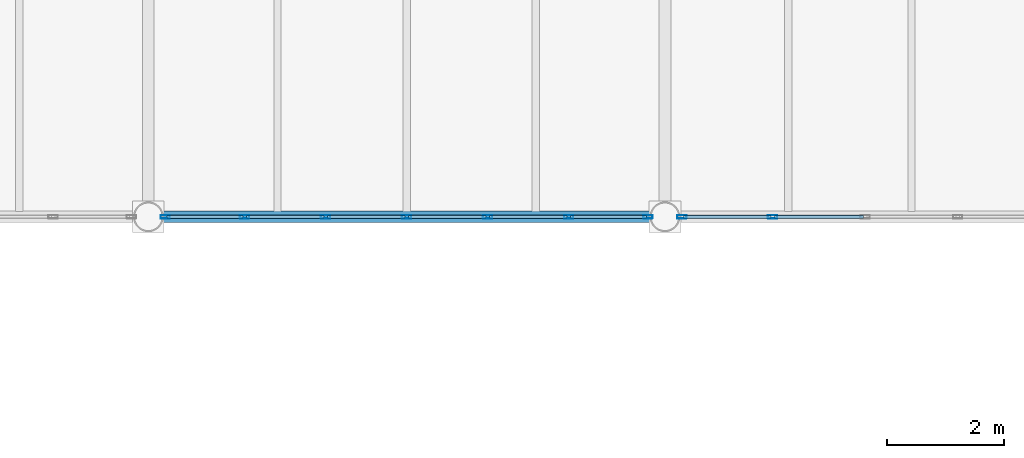
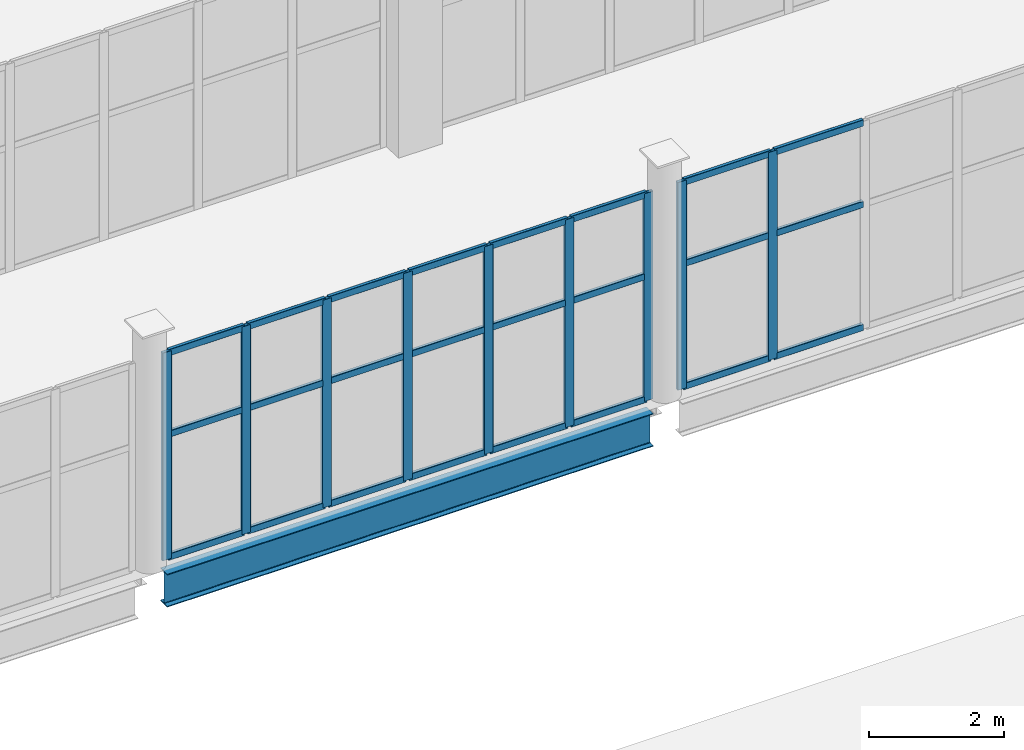
# One storey, part 58 of 136: 33 members, 1 beam, 2 elements without a shape of their own.
"""IFC4 building model written with IfcOpenShell, lengths in metres."""

from ifc_helpers import new_model, si_unit, direction, frame, origin, origin_2d, place, context, subcontext, project, spatial, hollow_rectangle, i_section, extrude, material, material_profile, profile_set, type_object, element, aggregate, save


model = new_model("IFC4")

# Units and contexts
model_context = context("Model", 3, precision=1e-05, world=origin(), true_north=direction((0.0, 1.0)))
body_context = subcontext(model_context, "Body", "Model", "MODEL_VIEW")
ifc_project = project(units=[si_unit("LENGTHUNIT", "METRE"), si_unit("AREAUNIT", "SQUARE_METRE"), si_unit("VOLUMEUNIT", "CUBIC_METRE"), si_unit("PLANEANGLEUNIT", "RADIAN"), si_unit("MASSUNIT", "GRAM", prefix="KILO")], contexts=[model_context])

# Site, building, storey
site_placement = place(None, origin())
site = spatial("IfcSite", under=ifc_project, at=site_placement, CompositionType="ELEMENT")
building_placement = place(site_placement, origin())
building = spatial("IfcBuilding", under=site, at=building_placement, Name="Shengluoqiao Park Theatre", CompositionType="ELEMENT")
storey_placement = place(building_placement, frame((0.0, 0.0, 10.0)))
storey = spatial("IfcBuildingStorey", under=building, at=storey_placement, Name="L02", CompositionType="ELEMENT", Elevation=10.0)

# Curtain wall, members
ifc_material_1 = material(Name="Aluminium 6063-T6", Category="aluminium")
curtain_wall_type = type_object("IfcCurtainWallType", Name="ENV-CW-BRIDGE", PredefinedType="NOTDEFINED", material=ifc_material_1)
curtain_wall_1_placement = place(storey_placement, origin())
curtain_wall_1 = element("IfcCurtainWall", 1, at=curtain_wall_1_placement, inside=storey, type_object=curtain_wall_type, Name="L02 Curtain Wall CWX-L02-0108", PredefinedType="NOTDEFINED")
ifc_material_profile_1 = material_profile(ifc_material_1, hollow_rectangle(XDim=0.06005859375, YDim=0.159912109375, WallThickness=0.00390625, InnerFilletRadius=0.00390625, OuterFilletRadius=0.008056640625, at=origin_2d()), Name="ALU MULLION 160x60x4")
ifc_profile_set_1 = profile_set([ifc_material_profile_1], Name="Aluminium 6063-T6")
member_type_1 = type_object("IfcMemberType", Name="ENV-MUL-160", PredefinedType="MULLION", material=ifc_profile_set_1)
member_1_placement = place(storey_placement, frame((95.488037109375, 68.39990234375, 0.0), z_axis=(0.0, 0.0, 1.0), x_axis=(0.0, 1.0, 0.0)))
member_1 = element("IfcMember", 2, at=member_1_placement, type_object=member_type_1, Name="CW-03 mullion 1", PredefinedType="MULLION", context=body_context, shape_type="SweptSolid", body=[
    extrude(hollow_rectangle(XDim=0.06005859375, YDim=0.159912109375, WallThickness=0.00390625, InnerFilletRadius=0.00390625, OuterFilletRadius=0.008056640625, at=origin_2d()), origin(), (0.0, 0.0, 1.0), 3.751953125),
])
member_2_placement = place(storey_placement, frame((96.838623046875, 68.39990234375, 0.0), z_axis=(0.0, 0.0, 1.0), x_axis=(0.0, 1.0, 0.0)))
member_2 = element("IfcMember", 3, at=member_2_placement, type_object=member_type_1, Name="CW-03 mullion 2", PredefinedType="MULLION", context=body_context, shape_type="SweptSolid", body=[
    extrude(hollow_rectangle(XDim=0.06005859375, YDim=0.159912109375, WallThickness=0.00390625, InnerFilletRadius=0.00390625, OuterFilletRadius=0.008056640625, at=origin_2d()), origin(), (0.0, 0.0, 1.0), 3.751953125),
])
member_3_placement = place(storey_placement, frame((98.21923828125, 68.39990234375, 0.0), z_axis=(0.0, 0.0, 1.0), x_axis=(0.0, 1.0, 0.0)))
member_3 = element("IfcMember", 4, at=member_3_placement, type_object=member_type_1, Name="CW-03 mullion 3", PredefinedType="MULLION", context=body_context, shape_type="SweptSolid", body=[
    extrude(hollow_rectangle(XDim=0.06005859375, YDim=0.159912109375, WallThickness=0.00390625, InnerFilletRadius=0.00390625, OuterFilletRadius=0.008056640625, at=origin_2d()), origin(), (0.0, 0.0, 1.0), 3.751953125),
])
member_4_placement = place(storey_placement, frame((99.60009765625, 68.39990234375, 0.0), z_axis=(0.0, 0.0, 1.0), x_axis=(0.0, 1.0, 0.0)))
member_4 = element("IfcMember", 5, at=member_4_placement, type_object=member_type_1, Name="CW-03 mullion 4", PredefinedType="MULLION", context=body_context, shape_type="SweptSolid", body=[
    extrude(hollow_rectangle(XDim=0.06005859375, YDim=0.159912109375, WallThickness=0.00390625, InnerFilletRadius=0.00390625, OuterFilletRadius=0.008056640625, at=origin_2d()), origin(), (0.0, 0.0, 1.0), 3.751953125),
])
member_5_placement = place(storey_placement, frame((100.980712890625, 68.39990234375, 0.0), z_axis=(0.0, 0.0, 1.0), x_axis=(0.0, 1.0, 0.0)))
member_5 = element("IfcMember", 6, at=member_5_placement, type_object=member_type_1, Name="CW-03 mullion 5", PredefinedType="MULLION", context=body_context, shape_type="SweptSolid", body=[
    extrude(hollow_rectangle(XDim=0.06005859375, YDim=0.159912109375, WallThickness=0.00390625, InnerFilletRadius=0.00390625, OuterFilletRadius=0.008056640625, at=origin_2d()), origin(), (0.0, 0.0, 1.0), 3.751953125),
])
member_6_placement = place(storey_placement, frame((102.361328125, 68.39990234375, 0.0), z_axis=(0.0, 0.0, 1.0), x_axis=(0.0, 1.0, 0.0)))
member_6 = element("IfcMember", 7, at=member_6_placement, type_object=member_type_1, Name="CW-03 mullion 6", PredefinedType="MULLION", context=body_context, shape_type="SweptSolid", body=[
    extrude(hollow_rectangle(XDim=0.06005859375, YDim=0.159912109375, WallThickness=0.00390625, InnerFilletRadius=0.00390625, OuterFilletRadius=0.008056640625, at=origin_2d()), origin(), (0.0, 0.0, 1.0), 3.751953125),
])
member_7_placement = place(storey_placement, frame((103.7119140625, 68.39990234375, 0.0), z_axis=(0.0, 0.0, 1.0), x_axis=(0.0, 1.0, 0.0)))
member_7 = element("IfcMember", 8, at=member_7_placement, type_object=member_type_1, Name="CW-03 mullion 7", PredefinedType="MULLION", context=body_context, shape_type="SweptSolid", body=[
    extrude(hollow_rectangle(XDim=0.06005859375, YDim=0.159912109375, WallThickness=0.00390625, InnerFilletRadius=0.00390625, OuterFilletRadius=0.008056640625, at=origin_2d()), origin(), (0.0, 0.0, 1.0), 3.751953125),
])

curtain_wall_2_placement = place(storey_placement, origin())
curtain_wall_2 = element("IfcCurtainWall", 9, at=curtain_wall_2_placement, inside=storey, type_object=curtain_wall_type, Name="L02 Curtain Wall CWX-L02-0109", PredefinedType="NOTDEFINED")
member_8_placement = place(storey_placement, frame((104.2880859375, 68.39990234375, 0.0), z_axis=(0.0, 0.0, 1.0), x_axis=(0.0, 1.0, 0.0)))
member_8 = element("IfcMember", 10, at=member_8_placement, type_object=member_type_1, Name="CW-03 mullion 1", PredefinedType="MULLION", context=body_context, shape_type="SweptSolid", body=[
    extrude(hollow_rectangle(XDim=0.06005859375, YDim=0.159912109375, WallThickness=0.00390625, InnerFilletRadius=0.00390625, OuterFilletRadius=0.008056640625, at=origin_2d()), origin(), (0.0, 0.0, 1.0), 3.751953125),
])
member_9_placement = place(storey_placement, frame((105.834716796875, 68.39990234375, 0.0), z_axis=(0.0, 0.0, 1.0), x_axis=(0.0, 1.0, 0.0)))
member_9 = element("IfcMember", 11, at=member_9_placement, type_object=member_type_1, Name="CW-03 mullion 2", PredefinedType="MULLION", context=body_context, shape_type="SweptSolid", body=[
    extrude(hollow_rectangle(XDim=0.06005859375, YDim=0.159912109375, WallThickness=0.00390625, InnerFilletRadius=0.00390625, OuterFilletRadius=0.008056640625, at=origin_2d()), origin(), (0.0, 0.0, 1.0), 3.751953125),
])

# Member
ifc_material_profile_2 = material_profile(ifc_material_1, hollow_rectangle(XDim=0.06005859375, YDim=0.1201171875, WallThickness=0.00390625, InnerFilletRadius=0.00390625, OuterFilletRadius=0.008056640625, at=origin_2d()), Name="ALU TRANSOM 120x60x4")
ifc_profile_set_2 = profile_set([ifc_material_profile_2], Name="Aluminium 6063-T6")
member_type_2 = type_object("IfcMemberType", Name="ENV-TRN-120", PredefinedType="USERDEFINED", material=ifc_profile_set_2)
member_10_placement = place(storey_placement, frame((95.51806640625, 68.39990234375, 0.030029296875), z_axis=(1.0, 0.0, 0.0), x_axis=(0.0, 1.0, 0.0)))
member_10 = element("IfcMember", 12, at=member_10_placement, type_object=member_type_2, Name="CW-03 transom 1.1", ObjectType="TRANSOM", PredefinedType="USERDEFINED", context=body_context, shape_type="SweptSolid", body=[
    extrude(hollow_rectangle(XDim=0.06005859375, YDim=0.1201171875, WallThickness=0.00390625, InnerFilletRadius=0.00390625, OuterFilletRadius=0.008056640625, at=origin_2d()), origin(), (0.0, 0.0, 1.0), 1.29052734375),
])

member_11_placement = place(storey_placement, frame((95.51806640625, 68.39990234375, 2.2509765625), z_axis=(1.0, 0.0, 0.0), x_axis=(0.0, 1.0, 0.0)))
member_11 = element("IfcMember", 13, at=member_11_placement, type_object=member_type_2, Name="CW-03 transom 1.2", ObjectType="TRANSOM", PredefinedType="USERDEFINED", context=body_context, shape_type="SweptSolid", body=[
    extrude(hollow_rectangle(XDim=0.06005859375, YDim=0.1201171875, WallThickness=0.00390625, InnerFilletRadius=0.00390625, OuterFilletRadius=0.008056640625, at=origin_2d()), origin(), (0.0, 0.0, 1.0), 1.29052734375),
])

member_12_placement = place(storey_placement, frame((95.51806640625, 68.39990234375, 3.721923828125), z_axis=(1.0, 0.0, 0.0), x_axis=(0.0, 1.0, 0.0)))
member_12 = element("IfcMember", 14, at=member_12_placement, type_object=member_type_2, Name="CW-03 transom 1.3", ObjectType="TRANSOM", PredefinedType="USERDEFINED", context=body_context, shape_type="SweptSolid", body=[
    extrude(hollow_rectangle(XDim=0.06005859375, YDim=0.1201171875, WallThickness=0.00390625, InnerFilletRadius=0.00390625, OuterFilletRadius=0.008056640625, at=origin_2d()), origin(), (0.0, 0.0, 1.0), 1.29052734375),
])

member_13_placement = place(storey_placement, frame((96.86865234375, 68.39990234375, 0.030029296875), z_axis=(1.0, 0.0, 0.0), x_axis=(0.0, 1.0, 0.0)))
member_13 = element("IfcMember", 15, at=member_13_placement, type_object=member_type_2, Name="CW-03 transom 2.1", ObjectType="TRANSOM", PredefinedType="USERDEFINED", context=body_context, shape_type="SweptSolid", body=[
    extrude(hollow_rectangle(XDim=0.06005859375, YDim=0.1201171875, WallThickness=0.00390625, InnerFilletRadius=0.00390625, OuterFilletRadius=0.008056640625, at=origin_2d()), origin(), (0.0, 0.0, 1.0), 1.32080078125),
])

member_14_placement = place(storey_placement, frame((96.86865234375, 68.39990234375, 2.2509765625), z_axis=(1.0, 0.0, 0.0), x_axis=(0.0, 1.0, 0.0)))
member_14 = element("IfcMember", 16, at=member_14_placement, type_object=member_type_2, Name="CW-03 transom 2.2", ObjectType="TRANSOM", PredefinedType="USERDEFINED", context=body_context, shape_type="SweptSolid", body=[
    extrude(hollow_rectangle(XDim=0.06005859375, YDim=0.1201171875, WallThickness=0.00390625, InnerFilletRadius=0.00390625, OuterFilletRadius=0.008056640625, at=origin_2d()), origin(), (0.0, 0.0, 1.0), 1.32080078125),
])

member_15_placement = place(storey_placement, frame((96.86865234375, 68.39990234375, 3.721923828125), z_axis=(1.0, 0.0, 0.0), x_axis=(0.0, 1.0, 0.0)))
member_15 = element("IfcMember", 17, at=member_15_placement, type_object=member_type_2, Name="CW-03 transom 2.3", ObjectType="TRANSOM", PredefinedType="USERDEFINED", context=body_context, shape_type="SweptSolid", body=[
    extrude(hollow_rectangle(XDim=0.06005859375, YDim=0.1201171875, WallThickness=0.00390625, InnerFilletRadius=0.00390625, OuterFilletRadius=0.008056640625, at=origin_2d()), origin(), (0.0, 0.0, 1.0), 1.32080078125),
])

member_16_placement = place(storey_placement, frame((98.249267578125, 68.39990234375, 0.030029296875), z_axis=(1.0, 0.0, 0.0), x_axis=(0.0, 1.0, 0.0)))
member_16 = element("IfcMember", 18, at=member_16_placement, type_object=member_type_2, Name="CW-03 transom 3.1", ObjectType="TRANSOM", PredefinedType="USERDEFINED", context=body_context, shape_type="SweptSolid", body=[
    extrude(hollow_rectangle(XDim=0.06005859375, YDim=0.1201171875, WallThickness=0.00390625, InnerFilletRadius=0.00390625, OuterFilletRadius=0.008056640625, at=origin_2d()), origin(), (0.0, 0.0, 1.0), 1.32080078125),
])

member_17_placement = place(storey_placement, frame((98.249267578125, 68.39990234375, 2.2509765625), z_axis=(1.0, 0.0, 0.0), x_axis=(0.0, 1.0, 0.0)))
member_17 = element("IfcMember", 19, at=member_17_placement, type_object=member_type_2, Name="CW-03 transom 3.2", ObjectType="TRANSOM", PredefinedType="USERDEFINED", context=body_context, shape_type="SweptSolid", body=[
    extrude(hollow_rectangle(XDim=0.06005859375, YDim=0.1201171875, WallThickness=0.00390625, InnerFilletRadius=0.00390625, OuterFilletRadius=0.008056640625, at=origin_2d()), origin(), (0.0, 0.0, 1.0), 1.32080078125),
])

member_18_placement = place(storey_placement, frame((98.249267578125, 68.39990234375, 3.721923828125), z_axis=(1.0, 0.0, 0.0), x_axis=(0.0, 1.0, 0.0)))
member_18 = element("IfcMember", 20, at=member_18_placement, type_object=member_type_2, Name="CW-03 transom 3.3", ObjectType="TRANSOM", PredefinedType="USERDEFINED", context=body_context, shape_type="SweptSolid", body=[
    extrude(hollow_rectangle(XDim=0.06005859375, YDim=0.1201171875, WallThickness=0.00390625, InnerFilletRadius=0.00390625, OuterFilletRadius=0.008056640625, at=origin_2d()), origin(), (0.0, 0.0, 1.0), 1.32080078125),
])

member_19_placement = place(storey_placement, frame((99.6298828125, 68.39990234375, 0.030029296875), z_axis=(1.0, 0.0, 0.0), x_axis=(0.0, 1.0, 0.0)))
member_19 = element("IfcMember", 21, at=member_19_placement, type_object=member_type_2, Name="CW-03 transom 4.1", ObjectType="TRANSOM", PredefinedType="USERDEFINED", context=body_context, shape_type="SweptSolid", body=[
    extrude(hollow_rectangle(XDim=0.06005859375, YDim=0.1201171875, WallThickness=0.00390625, InnerFilletRadius=0.00390625, OuterFilletRadius=0.008056640625, at=origin_2d()), origin(), (0.0, 0.0, 1.0), 1.32080078125),
])

member_20_placement = place(storey_placement, frame((99.6298828125, 68.39990234375, 2.2509765625), z_axis=(1.0, 0.0, 0.0), x_axis=(0.0, 1.0, 0.0)))
member_20 = element("IfcMember", 22, at=member_20_placement, type_object=member_type_2, Name="CW-03 transom 4.2", ObjectType="TRANSOM", PredefinedType="USERDEFINED", context=body_context, shape_type="SweptSolid", body=[
    extrude(hollow_rectangle(XDim=0.06005859375, YDim=0.1201171875, WallThickness=0.00390625, InnerFilletRadius=0.00390625, OuterFilletRadius=0.008056640625, at=origin_2d()), origin(), (0.0, 0.0, 1.0), 1.32080078125),
])

member_21_placement = place(storey_placement, frame((99.6298828125, 68.39990234375, 3.721923828125), z_axis=(1.0, 0.0, 0.0), x_axis=(0.0, 1.0, 0.0)))
member_21 = element("IfcMember", 23, at=member_21_placement, type_object=member_type_2, Name="CW-03 transom 4.3", ObjectType="TRANSOM", PredefinedType="USERDEFINED", context=body_context, shape_type="SweptSolid", body=[
    extrude(hollow_rectangle(XDim=0.06005859375, YDim=0.1201171875, WallThickness=0.00390625, InnerFilletRadius=0.00390625, OuterFilletRadius=0.008056640625, at=origin_2d()), origin(), (0.0, 0.0, 1.0), 1.32080078125),
])

member_22_placement = place(storey_placement, frame((101.0107421875, 68.39990234375, 0.030029296875), z_axis=(1.0, 0.0, 0.0), x_axis=(0.0, 1.0, 0.0)))
member_22 = element("IfcMember", 24, at=member_22_placement, type_object=member_type_2, Name="CW-03 transom 5.1", ObjectType="TRANSOM", PredefinedType="USERDEFINED", context=body_context, shape_type="SweptSolid", body=[
    extrude(hollow_rectangle(XDim=0.06005859375, YDim=0.1201171875, WallThickness=0.00390625, InnerFilletRadius=0.00390625, OuterFilletRadius=0.008056640625, at=origin_2d()), origin(), (0.0, 0.0, 1.0), 1.320556640625),
])

member_23_placement = place(storey_placement, frame((101.0107421875, 68.39990234375, 2.2509765625), z_axis=(1.0, 0.0, 0.0), x_axis=(0.0, 1.0, 0.0)))
member_23 = element("IfcMember", 25, at=member_23_placement, type_object=member_type_2, Name="CW-03 transom 5.2", ObjectType="TRANSOM", PredefinedType="USERDEFINED", context=body_context, shape_type="SweptSolid", body=[
    extrude(hollow_rectangle(XDim=0.06005859375, YDim=0.1201171875, WallThickness=0.00390625, InnerFilletRadius=0.00390625, OuterFilletRadius=0.008056640625, at=origin_2d()), origin(), (0.0, 0.0, 1.0), 1.320556640625),
])

member_24_placement = place(storey_placement, frame((101.0107421875, 68.39990234375, 3.721923828125), z_axis=(1.0, 0.0, 0.0), x_axis=(0.0, 1.0, 0.0)))
member_24 = element("IfcMember", 26, at=member_24_placement, type_object=member_type_2, Name="CW-03 transom 5.3", ObjectType="TRANSOM", PredefinedType="USERDEFINED", context=body_context, shape_type="SweptSolid", body=[
    extrude(hollow_rectangle(XDim=0.06005859375, YDim=0.1201171875, WallThickness=0.00390625, InnerFilletRadius=0.00390625, OuterFilletRadius=0.008056640625, at=origin_2d()), origin(), (0.0, 0.0, 1.0), 1.320556640625),
])

member_25_placement = place(storey_placement, frame((102.391357421875, 68.39990234375, 0.030029296875), z_axis=(1.0, 0.0, 0.0), x_axis=(0.0, 1.0, 0.0)))
member_25 = element("IfcMember", 27, at=member_25_placement, type_object=member_type_2, Name="CW-03 transom 6.1", ObjectType="TRANSOM", PredefinedType="USERDEFINED", context=body_context, shape_type="SweptSolid", body=[
    extrude(hollow_rectangle(XDim=0.06005859375, YDim=0.1201171875, WallThickness=0.00390625, InnerFilletRadius=0.00390625, OuterFilletRadius=0.008056640625, at=origin_2d()), origin(), (0.0, 0.0, 1.0), 1.29052734375),
])

member_26_placement = place(storey_placement, frame((102.391357421875, 68.39990234375, 2.2509765625), z_axis=(1.0, 0.0, 0.0), x_axis=(0.0, 1.0, 0.0)))
member_26 = element("IfcMember", 28, at=member_26_placement, type_object=member_type_2, Name="CW-03 transom 6.2", ObjectType="TRANSOM", PredefinedType="USERDEFINED", context=body_context, shape_type="SweptSolid", body=[
    extrude(hollow_rectangle(XDim=0.06005859375, YDim=0.1201171875, WallThickness=0.00390625, InnerFilletRadius=0.00390625, OuterFilletRadius=0.008056640625, at=origin_2d()), origin(), (0.0, 0.0, 1.0), 1.29052734375),
])

member_27_placement = place(storey_placement, frame((102.391357421875, 68.39990234375, 3.721923828125), z_axis=(1.0, 0.0, 0.0), x_axis=(0.0, 1.0, 0.0)))
member_27 = element("IfcMember", 29, at=member_27_placement, type_object=member_type_2, Name="CW-03 transom 6.3", ObjectType="TRANSOM", PredefinedType="USERDEFINED", context=body_context, shape_type="SweptSolid", body=[
    extrude(hollow_rectangle(XDim=0.06005859375, YDim=0.1201171875, WallThickness=0.00390625, InnerFilletRadius=0.00390625, OuterFilletRadius=0.008056640625, at=origin_2d()), origin(), (0.0, 0.0, 1.0), 1.29052734375),
])

aggregate(curtain_wall_1, [member_1, member_2, member_3, member_4, member_5, member_6, member_7, member_10, member_11, member_12, member_13, member_14, member_15, member_16, member_17, member_18, member_19, member_20, member_21, member_22, member_23, member_24, member_25, member_26, member_27])

member_28_placement = place(storey_placement, frame((104.318115234375, 68.39990234375, 0.030029296875), z_axis=(1.0, 0.0, 0.0), x_axis=(0.0, 1.0, 0.0)))
member_28 = element("IfcMember", 30, at=member_28_placement, type_object=member_type_2, Name="CW-03 transom 1.1", ObjectType="TRANSOM", PredefinedType="USERDEFINED", context=body_context, shape_type="SweptSolid", body=[
    extrude(hollow_rectangle(XDim=0.06005859375, YDim=0.1201171875, WallThickness=0.00390625, InnerFilletRadius=0.00390625, OuterFilletRadius=0.008056640625, at=origin_2d()), origin(), (0.0, 0.0, 1.0), 1.486572265625),
])

member_29_placement = place(storey_placement, frame((104.318115234375, 68.39990234375, 2.2509765625), z_axis=(1.0, 0.0, 0.0), x_axis=(0.0, 1.0, 0.0)))
member_29 = element("IfcMember", 31, at=member_29_placement, type_object=member_type_2, Name="CW-03 transom 1.2", ObjectType="TRANSOM", PredefinedType="USERDEFINED", context=body_context, shape_type="SweptSolid", body=[
    extrude(hollow_rectangle(XDim=0.06005859375, YDim=0.1201171875, WallThickness=0.00390625, InnerFilletRadius=0.00390625, OuterFilletRadius=0.008056640625, at=origin_2d()), origin(), (0.0, 0.0, 1.0), 1.486572265625),
])

member_30_placement = place(storey_placement, frame((104.318115234375, 68.39990234375, 3.721923828125), z_axis=(1.0, 0.0, 0.0), x_axis=(0.0, 1.0, 0.0)))
member_30 = element("IfcMember", 32, at=member_30_placement, type_object=member_type_2, Name="CW-03 transom 1.3", ObjectType="TRANSOM", PredefinedType="USERDEFINED", context=body_context, shape_type="SweptSolid", body=[
    extrude(hollow_rectangle(XDim=0.06005859375, YDim=0.1201171875, WallThickness=0.00390625, InnerFilletRadius=0.00390625, OuterFilletRadius=0.008056640625, at=origin_2d()), origin(), (0.0, 0.0, 1.0), 1.486572265625),
])

member_31_placement = place(storey_placement, frame((105.86474609375, 68.39990234375, 0.030029296875), z_axis=(1.0, 0.0, 0.0), x_axis=(0.0, 1.0, 0.0)))
member_31 = element("IfcMember", 33, at=member_31_placement, type_object=member_type_2, Name="CW-03 transom 2.1", ObjectType="TRANSOM", PredefinedType="USERDEFINED", context=body_context, shape_type="SweptSolid", body=[
    extrude(hollow_rectangle(XDim=0.06005859375, YDim=0.1201171875, WallThickness=0.00390625, InnerFilletRadius=0.00390625, OuterFilletRadius=0.008056640625, at=origin_2d()), origin(), (0.0, 0.0, 1.0), 1.516845703125),
])

member_32_placement = place(storey_placement, frame((105.86474609375, 68.39990234375, 2.2509765625), z_axis=(1.0, 0.0, 0.0), x_axis=(0.0, 1.0, 0.0)))
member_32 = element("IfcMember", 34, at=member_32_placement, type_object=member_type_2, Name="CW-03 transom 2.2", ObjectType="TRANSOM", PredefinedType="USERDEFINED", context=body_context, shape_type="SweptSolid", body=[
    extrude(hollow_rectangle(XDim=0.06005859375, YDim=0.1201171875, WallThickness=0.00390625, InnerFilletRadius=0.00390625, OuterFilletRadius=0.008056640625, at=origin_2d()), origin(), (0.0, 0.0, 1.0), 1.516845703125),
])

member_33_placement = place(storey_placement, frame((105.86474609375, 68.39990234375, 3.721923828125), z_axis=(1.0, 0.0, 0.0), x_axis=(0.0, 1.0, 0.0)))
member_33 = element("IfcMember", 35, at=member_33_placement, type_object=member_type_2, Name="CW-03 transom 2.3", ObjectType="TRANSOM", PredefinedType="USERDEFINED", context=body_context, shape_type="SweptSolid", body=[
    extrude(hollow_rectangle(XDim=0.06005859375, YDim=0.1201171875, WallThickness=0.00390625, InnerFilletRadius=0.00390625, OuterFilletRadius=0.008056640625, at=origin_2d()), origin(), (0.0, 0.0, 1.0), 1.516845703125),
])

aggregate(curtain_wall_2, [member_8, member_9, member_28, member_29, member_30, member_31, member_32, member_33])

# Beam
ifc_material_2 = material(Name="Steel Q355", Category="steel")
ifc_material_profile_3 = material_profile(ifc_material_2, i_section(OverallWidth=0.198974609375, OverallDepth=0.595947265625, WebThickness=0.010009765625, FlangeThickness=0.014892578125, FilletRadius=0.02001953125, at=origin_2d()), Name="HN 596x199x10x15")
ifc_profile_set_3 = profile_set([ifc_material_profile_3], Name="Steel Q355")
beam_type = type_object("IfcBeamType", Name="STR-BM-SP-HN596", PredefinedType="SPANDREL", material=ifc_profile_set_3)
beam_placement = place(storey_placement, frame((95.447998046875, 68.39990234375, -0.508056640625), z_axis=(1.0, 0.0, 0.0), x_axis=(0.0, 1.0, 0.0)))
element("IfcBeam", 36, at=beam_placement, inside=storey, type_object=beam_type, Name="L02 Primary Girder 01006", PredefinedType="SPANDREL", context=body_context, shape_type="SweptSolid", body=[
    extrude(i_section(OverallWidth=0.198974609375, OverallDepth=0.595947265625, WebThickness=0.010009765625, FlangeThickness=0.014892578125, FilletRadius=0.02001953125, at=origin_2d()), origin(), (0.0, 0.0, 1.0), 8.303955078125),
])

save(model, "model.ifc")
